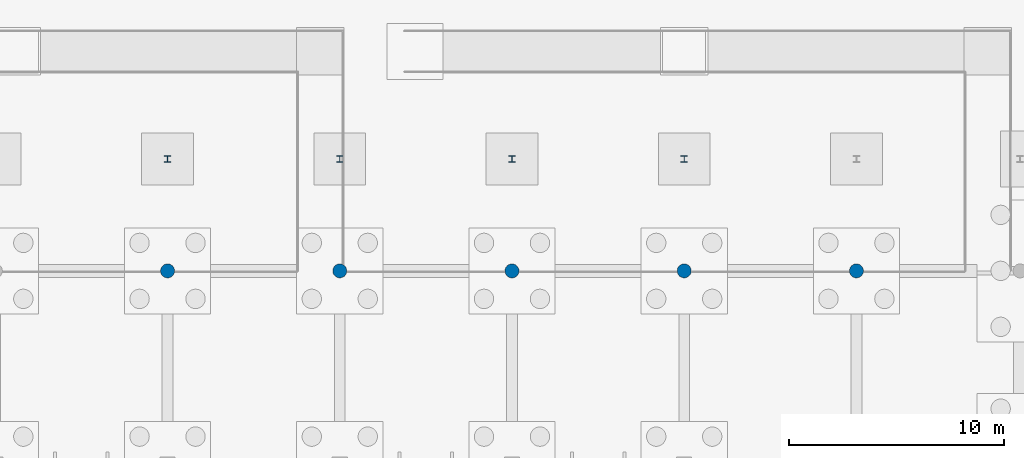
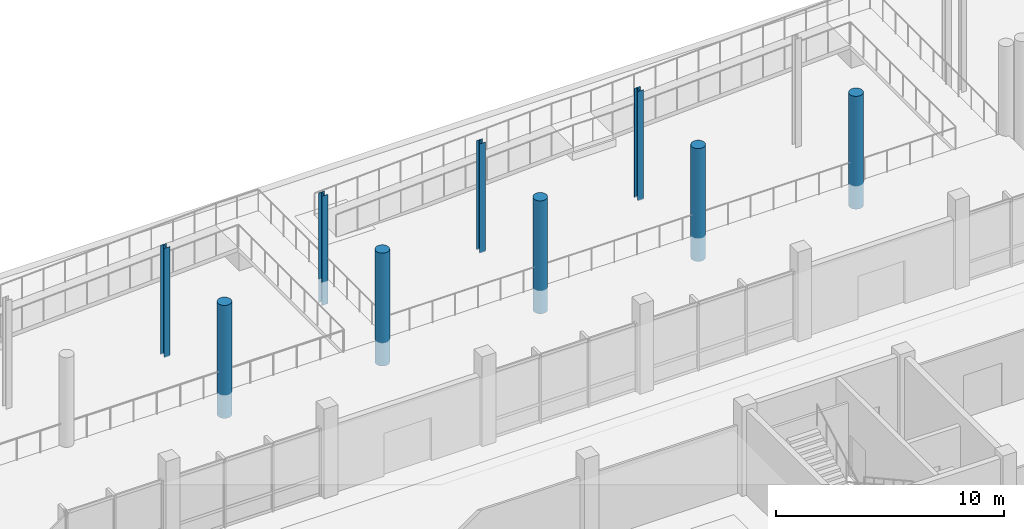
# One storey, part 17 of 72: 9 columns.
"""IFC4 building model written with IfcOpenShell, lengths in metres."""

from ifc_helpers import new_model, si_unit, direction, frame, origin, origin_2d, place, context, subcontext, project, spatial, circle, i_section, extrude, material, material_profile, profile_set, type_object, element, save


model = new_model("IFC4")

# Units and contexts
model_context = context("Model", 3, precision=1e-05, world=origin(), true_north=direction((0.0, 1.0)))
body_context = subcontext(model_context, "Body", "Model", "MODEL_VIEW")
ifc_project = project(units=[si_unit("LENGTHUNIT", "METRE"), si_unit("AREAUNIT", "SQUARE_METRE"), si_unit("VOLUMEUNIT", "CUBIC_METRE"), si_unit("PLANEANGLEUNIT", "RADIAN"), si_unit("MASSUNIT", "GRAM", prefix="KILO"), si_unit("THERMODYNAMICTEMPERATUREUNIT", "KELVIN"), si_unit("POWERUNIT", "WATT")], contexts=[model_context])

# Site, building, storey
site_placement = place(None, origin())
site = spatial("IfcSite", under=ifc_project, at=site_placement, CompositionType="ELEMENT")
building_placement = place(site_placement, origin())
building = spatial("IfcBuilding", under=site, at=building_placement, Name="Kronsvod Quay Wholesale Market", CompositionType="ELEMENT")
storey_placement = place(building_placement, origin())
storey = spatial("IfcBuildingStorey", under=building, at=storey_placement, Name="L00", CompositionType="ELEMENT", Elevation=0.0)

# Columns
ifc_material_1 = material(Name="Precast concrete C40/50", Category="concrete")
ifc_material_profile_1 = material_profile(ifc_material_1, circle(Radius=0.324951171875, at=origin_2d()), Name="PCPIL650D")
ifc_profile_set_1 = profile_set([ifc_material_profile_1], Name="Precast concrete C40/50")
column_type_1 = type_object("IfcColumnType", Name="Col_Pilotis650D", PredefinedType="COLUMN", material=ifc_profile_set_1)
for number, where, z_axis, x_axis, name in (
    (1, (88.0, 126.0, -1.25), (0.0, 0.0, 1.0), (1.0, 0.0, 0.0), "COLG-L00-880-1260"),
    (2, (96.0, 126.0, -1.25), (0.0, 0.0, 1.0), (1.0, 0.0, 0.0), "COLG-L00-960-1260"),
    (3, (104.0, 126.0, -1.25), (0.0, 0.0, 1.0), (1.0, 0.0, 0.0), "COLG-L00-1040-1260"),
    (4, (112.0, 126.0, -1.25), (0.0, 0.0, 1.0), (1.0, 0.0, 0.0), "COLG-L00-1120-1260"),
    (5, (120.0, 126.0, -1.25), (0.0, 0.0, 1.0), (1.0, 0.0, 0.0), "COLG-L00-1200-1260"),
):
    element("IfcColumn", number, at=place(storey_placement, frame(where, z_axis=z_axis, x_axis=x_axis)), inside=storey, type_object=column_type_1, Name=name, PredefinedType="COLUMN", context=body_context, shape_type="SweptSolid", body=[
        extrude(circle(Radius=0.324951171875, at=origin_2d()), origin(), (0.0, 0.0, 1.0), 6.050048828125),
    ])
ifc_material_2 = material(Name="Steel S355", Category="steel")
ifc_material_profile_2 = material_profile(ifc_material_2, i_section(OverallWidth=0.299072265625, OverallDepth=0.298095703125, WebThickness=0.009033203125, FlangeThickness=0.013916015625, FilletRadius=0.01806640625, at=origin_2d()), Name="30K1")
ifc_profile_set_2 = profile_set([ifc_material_profile_2], Name="Steel S355")
column_type_2 = type_object("IfcColumnType", Name="Col_Steel30K1", PredefinedType="COLUMN", material=ifc_profile_set_2)
for number, where, z_axis, x_axis, name in (
    (6, (88.0, 131.199951171875, -1.25), (0.0, 0.0, 1.0), (1.0, 0.0, 0.0), "SCOL-CAN-L00-09"),
    (7, (96.0, 131.199951171875, -1.25), (0.0, 0.0, 1.0), (1.0, 0.0, 0.0), "SCOL-CAN-L00-10"),
    (8, (104.0, 131.199951171875, -1.25), (0.0, 0.0, 1.0), (1.0, 0.0, 0.0), "SCOL-CAN-L00-11"),
    (9, (112.0, 131.199951171875, -1.25), (0.0, 0.0, 1.0), (1.0, 0.0, 0.0), "SCOL-CAN-L00-12"),
):
    element("IfcColumn", number, at=place(storey_placement, frame(where, z_axis=z_axis, x_axis=x_axis)), inside=storey, type_object=column_type_2, Name=name, PredefinedType="COLUMN", context=body_context, shape_type="SweptSolid", body=[
        extrude(i_section(OverallWidth=0.299072265625, OverallDepth=0.298095703125, WebThickness=0.009033203125, FlangeThickness=0.013916015625, FilletRadius=0.01806640625, at=origin_2d()), origin(), (0.0, 0.0, 1.0), 5.860107421875),
    ])

save(model, "model.ifc")
